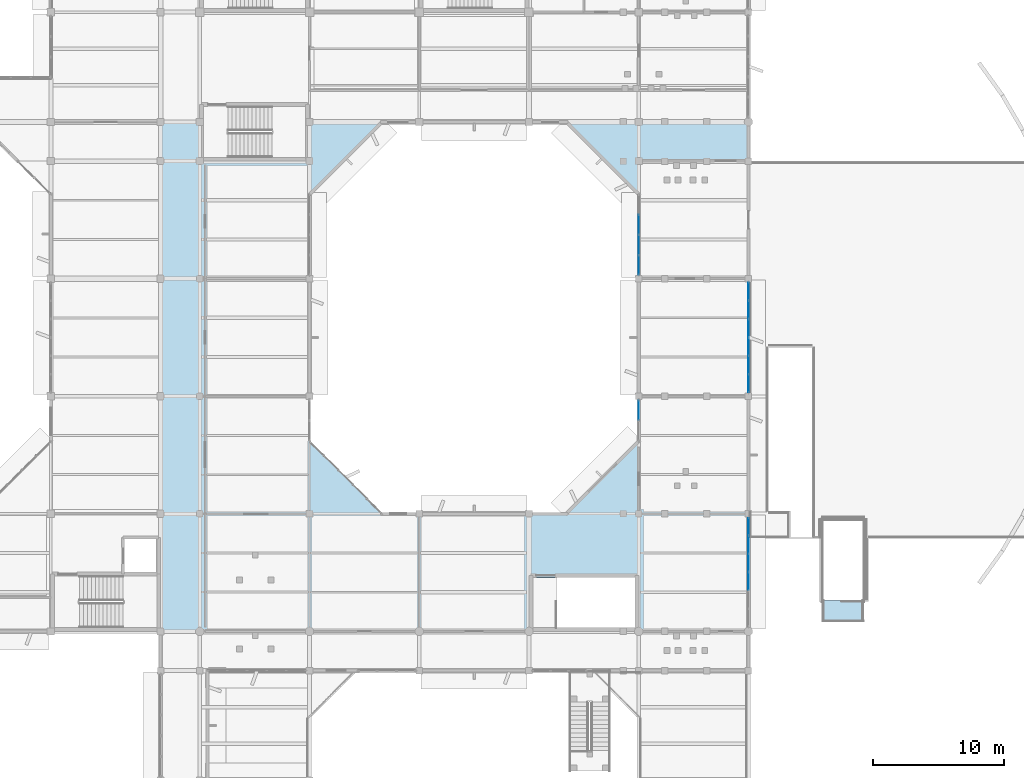
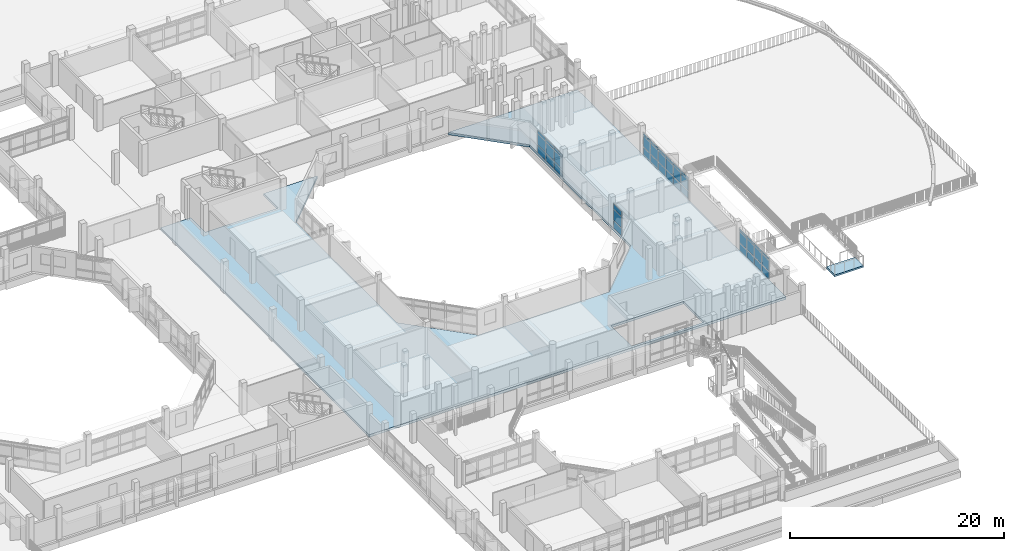
# One storey, part 51 of 92: 42 plates, 2 slabs, 4 elements without a shape of their own.
"""IFC4 building model written with IfcOpenShell, lengths in metres."""

from ifc_helpers import new_model, si_unit, direction, frame, origin, origin_2d, place, context, subcontext, project, spatial, polyline, rectangle, outline, extrude, material, layer, layer_set, type_object, element, aggregate, save


model = new_model("IFC4")

# Units and contexts
model_context = context("Model", 3, precision=1e-05, world=origin(), true_north=direction((0.0, 1.0)))
body_context = subcontext(model_context, "Body", "Model", "MODEL_VIEW")
ifc_project = project(units=[si_unit("LENGTHUNIT", "METRE"), si_unit("AREAUNIT", "SQUARE_METRE"), si_unit("VOLUMEUNIT", "CUBIC_METRE"), si_unit("PLANEANGLEUNIT", "RADIAN"), si_unit("MASSUNIT", "GRAM", prefix="KILO")], contexts=[model_context])

# Site, building, storey
site_placement = place(None, origin())
site = spatial("IfcSite", under=ifc_project, at=site_placement, CompositionType="ELEMENT")
building_placement = place(site_placement, origin())
building = spatial("IfcBuilding", under=site, at=building_placement, Name="Vanh Quang Courtyard School", CompositionType="ELEMENT")
storey_placement = place(building_placement, frame((0.0, 0.0, 7.800048828125)))
storey = spatial("IfcBuildingStorey", under=building, at=storey_placement, Name="L02", CompositionType="ELEMENT", Elevation=7.800048828125)

# Curtain wall, plates
ifc_material_1 = material(Name="Thermally broken aluminium unitised curtain wall", Category="aluminium")
curtain_wall_type_1 = type_object("IfcCurtainWallType", Name="CW-SYS-50", PredefinedType="NOTDEFINED", material=ifc_material_1)
curtain_wall_1_placement = place(storey_placement, origin())
curtain_wall_1 = element("IfcCurtainWall", 1, at=curtain_wall_1_placement, inside=storey, type_object=curtain_wall_type_1, Name="Curtain Wall CW-50 (L02)", PredefinedType="NOTDEFINED")
ifc_material_2 = material(Name="Low-E laminated double glazing", Category="glass")
ifc_layer_1 = layer(ifc_material_2, 0.028076171875)
ifc_layer_set_1 = layer_set([ifc_layer_1], Name="Low-E laminated double glazing")
plate_type_1 = type_object("IfcPlateType", Name="CW-PNL-28", PredefinedType="CURTAIN_PANEL", material=ifc_layer_set_1)
plate_1_placement = place(storey_placement, frame((119.39990234375, 58.419921875, 0.06005859375), z_axis=(0.0, 0.0, 1.0), x_axis=(0.0, -1.0, 0.0)))
plate_1 = element("IfcPlate", 2, at=plate_1_placement, type_object=plate_type_1, Name="CW-50 panel 1.1", PredefinedType="CURTAIN_PANEL", context=body_context, shape_type="SweptSolid", body=[
    extrude(rectangle(XDim=1.323974609375, YDim=0.028076171875, at=origin_2d()), origin(), (0.0, 0.0, 1.0), 0.860107421875),
])
plate_2_placement = place(storey_placement, frame((119.39990234375, 58.419921875, 0.97998046875), z_axis=(0.0, 0.0, 1.0), x_axis=(0.0, -1.0, 0.0)))
plate_2 = element("IfcPlate", 3, at=plate_2_placement, type_object=plate_type_1, Name="CW-50 panel 1.2", PredefinedType="CURTAIN_PANEL", context=body_context, shape_type="SweptSolid", body=[
    extrude(rectangle(XDim=1.323974609375, YDim=0.028076171875, at=origin_2d()), origin(), (0.0, 0.0, 1.0), 1.239990234375),
])
plate_3_placement = place(storey_placement, frame((119.39990234375, 58.419921875, 2.27978515625), z_axis=(0.0, 0.0, 1.0), x_axis=(0.0, -1.0, 0.0)))
plate_3 = element("IfcPlate", 4, at=plate_3_placement, type_object=plate_type_1, Name="CW-50 panel 1.3", PredefinedType="CURTAIN_PANEL", context=body_context, shape_type="SweptSolid", body=[
    extrude(rectangle(XDim=1.323974609375, YDim=0.028076171875, at=origin_2d()), origin(), (0.0, 0.0, 1.0), 0.239990234375),
])
plate_4_placement = place(storey_placement, frame((119.39990234375, 57.02099609375, 0.06005859375), z_axis=(0.0, 0.0, 1.0), x_axis=(0.0, -1.0, 0.0)))
plate_4 = element("IfcPlate", 5, at=plate_4_placement, type_object=plate_type_1, Name="CW-50 panel 2.1", PredefinedType="CURTAIN_PANEL", context=body_context, shape_type="SweptSolid", body=[
    extrude(rectangle(XDim=1.35400390625, YDim=0.028076171875, at=origin_2d()), origin(), (0.0, 0.0, 1.0), 0.860107421875),
])
plate_5_placement = place(storey_placement, frame((119.39990234375, 57.02099609375, 0.97998046875), z_axis=(0.0, 0.0, 1.0), x_axis=(0.0, -1.0, 0.0)))
plate_5 = element("IfcPlate", 6, at=plate_5_placement, type_object=plate_type_1, Name="CW-50 panel 2.2", PredefinedType="CURTAIN_PANEL", context=body_context, shape_type="SweptSolid", body=[
    extrude(rectangle(XDim=1.35400390625, YDim=0.028076171875, at=origin_2d()), origin(), (0.0, 0.0, 1.0), 1.239990234375),
])
plate_6_placement = place(storey_placement, frame((119.39990234375, 57.02099609375, 2.27978515625), z_axis=(0.0, 0.0, 1.0), x_axis=(0.0, -1.0, 0.0)))
plate_6 = element("IfcPlate", 7, at=plate_6_placement, type_object=plate_type_1, Name="CW-50 panel 2.3", PredefinedType="CURTAIN_PANEL", context=body_context, shape_type="SweptSolid", body=[
    extrude(rectangle(XDim=1.35400390625, YDim=0.028076171875, at=origin_2d()), origin(), (0.0, 0.0, 1.0), 0.239990234375),
])
plate_7_placement = place(storey_placement, frame((119.39990234375, 55.60693359375, 0.06005859375), z_axis=(0.0, 0.0, 1.0), x_axis=(0.0, -1.0, 0.0)))
plate_7 = element("IfcPlate", 8, at=plate_7_placement, type_object=plate_type_1, Name="CW-50 panel 3.1", PredefinedType="CURTAIN_PANEL", context=body_context, shape_type="SweptSolid", body=[
    extrude(rectangle(XDim=1.35400390625, YDim=0.028076171875, at=origin_2d()), origin(), (0.0, 0.0, 1.0), 0.860107421875),
])
plate_8_placement = place(storey_placement, frame((119.39990234375, 55.60693359375, 0.97998046875), z_axis=(0.0, 0.0, 1.0), x_axis=(0.0, -1.0, 0.0)))
plate_8 = element("IfcPlate", 9, at=plate_8_placement, type_object=plate_type_1, Name="CW-50 panel 3.2", PredefinedType="CURTAIN_PANEL", context=body_context, shape_type="SweptSolid", body=[
    extrude(rectangle(XDim=1.35400390625, YDim=0.028076171875, at=origin_2d()), origin(), (0.0, 0.0, 1.0), 1.239990234375),
])
plate_9_placement = place(storey_placement, frame((119.39990234375, 55.60693359375, 2.27978515625), z_axis=(0.0, 0.0, 1.0), x_axis=(0.0, -1.0, 0.0)))
plate_9 = element("IfcPlate", 10, at=plate_9_placement, type_object=plate_type_1, Name="CW-50 panel 3.3", PredefinedType="CURTAIN_PANEL", context=body_context, shape_type="SweptSolid", body=[
    extrude(rectangle(XDim=1.35400390625, YDim=0.028076171875, at=origin_2d()), origin(), (0.0, 0.0, 1.0), 0.239990234375),
])
plate_10_placement = place(storey_placement, frame((119.39990234375, 54.193115234375, 0.06005859375), z_axis=(0.0, 0.0, 1.0), x_axis=(0.0, -1.0, 0.0)))
plate_10 = element("IfcPlate", 11, at=plate_10_placement, type_object=plate_type_1, Name="CW-50 panel 4.1", PredefinedType="CURTAIN_PANEL", context=body_context, shape_type="SweptSolid", body=[
    extrude(rectangle(XDim=1.35400390625, YDim=0.028076171875, at=origin_2d()), origin(), (0.0, 0.0, 1.0), 0.860107421875),
])
plate_11_placement = place(storey_placement, frame((119.39990234375, 54.193115234375, 0.97998046875), z_axis=(0.0, 0.0, 1.0), x_axis=(0.0, -1.0, 0.0)))
plate_11 = element("IfcPlate", 12, at=plate_11_placement, type_object=plate_type_1, Name="CW-50 panel 4.2", PredefinedType="CURTAIN_PANEL", context=body_context, shape_type="SweptSolid", body=[
    extrude(rectangle(XDim=1.35400390625, YDim=0.028076171875, at=origin_2d()), origin(), (0.0, 0.0, 1.0), 1.239990234375),
])
plate_12_placement = place(storey_placement, frame((119.39990234375, 54.193115234375, 2.27978515625), z_axis=(0.0, 0.0, 1.0), x_axis=(0.0, -1.0, 0.0)))
plate_12 = element("IfcPlate", 13, at=plate_12_placement, type_object=plate_type_1, Name="CW-50 panel 4.3", PredefinedType="CURTAIN_PANEL", context=body_context, shape_type="SweptSolid", body=[
    extrude(rectangle(XDim=1.35400390625, YDim=0.028076171875, at=origin_2d()), origin(), (0.0, 0.0, 1.0), 0.239990234375),
])
plate_13_placement = place(storey_placement, frame((119.39990234375, 52.779052734375, 0.06005859375), z_axis=(0.0, 0.0, 1.0), x_axis=(0.0, -1.0, 0.0)))
plate_13 = element("IfcPlate", 14, at=plate_13_placement, type_object=plate_type_1, Name="CW-50 panel 5.1", PredefinedType="CURTAIN_PANEL", context=body_context, shape_type="SweptSolid", body=[
    extrude(rectangle(XDim=1.35400390625, YDim=0.028076171875, at=origin_2d()), origin(), (0.0, 0.0, 1.0), 0.860107421875),
])
plate_14_placement = place(storey_placement, frame((119.39990234375, 52.779052734375, 0.97998046875), z_axis=(0.0, 0.0, 1.0), x_axis=(0.0, -1.0, 0.0)))
plate_14 = element("IfcPlate", 15, at=plate_14_placement, type_object=plate_type_1, Name="CW-50 panel 5.2", PredefinedType="CURTAIN_PANEL", context=body_context, shape_type="SweptSolid", body=[
    extrude(rectangle(XDim=1.35400390625, YDim=0.028076171875, at=origin_2d()), origin(), (0.0, 0.0, 1.0), 1.239990234375),
])
plate_15_placement = place(storey_placement, frame((119.39990234375, 52.779052734375, 2.27978515625), z_axis=(0.0, 0.0, 1.0), x_axis=(0.0, -1.0, 0.0)))
plate_15 = element("IfcPlate", 16, at=plate_15_placement, type_object=plate_type_1, Name="CW-50 panel 5.3", PredefinedType="CURTAIN_PANEL", context=body_context, shape_type="SweptSolid", body=[
    extrude(rectangle(XDim=1.35400390625, YDim=0.028076171875, at=origin_2d()), origin(), (0.0, 0.0, 1.0), 0.239990234375),
])
plate_16_placement = place(storey_placement, frame((119.39990234375, 51.3798828125, 0.06005859375), z_axis=(0.0, 0.0, 1.0), x_axis=(0.0, -1.0, 0.0)))
plate_16 = element("IfcPlate", 17, at=plate_16_placement, type_object=plate_type_1, Name="CW-50 panel 6.1", PredefinedType="CURTAIN_PANEL", context=body_context, shape_type="SweptSolid", body=[
    extrude(rectangle(XDim=1.323974609375, YDim=0.028076171875, at=origin_2d()), origin(), (0.0, 0.0, 1.0), 0.860107421875),
])
plate_17_placement = place(storey_placement, frame((119.39990234375, 51.3798828125, 0.97998046875), z_axis=(0.0, 0.0, 1.0), x_axis=(0.0, -1.0, 0.0)))
plate_17 = element("IfcPlate", 18, at=plate_17_placement, type_object=plate_type_1, Name="CW-50 panel 6.2", PredefinedType="CURTAIN_PANEL", context=body_context, shape_type="SweptSolid", body=[
    extrude(rectangle(XDim=1.323974609375, YDim=0.028076171875, at=origin_2d()), origin(), (0.0, 0.0, 1.0), 1.239990234375),
])
plate_18_placement = place(storey_placement, frame((119.39990234375, 51.3798828125, 2.27978515625), z_axis=(0.0, 0.0, 1.0), x_axis=(0.0, -1.0, 0.0)))
plate_18 = element("IfcPlate", 19, at=plate_18_placement, type_object=plate_type_1, Name="CW-50 panel 6.3", PredefinedType="CURTAIN_PANEL", context=body_context, shape_type="SweptSolid", body=[
    extrude(rectangle(XDim=1.323974609375, YDim=0.028076171875, at=origin_2d()), origin(), (0.0, 0.0, 1.0), 0.239990234375),
])
aggregate(curtain_wall_1, [plate_1, plate_2, plate_3, plate_4, plate_5, plate_6, plate_7, plate_8, plate_9, plate_10, plate_11, plate_12, plate_13, plate_14, plate_15, plate_16, plate_17, plate_18])

curtain_wall_type_2 = type_object("IfcCurtainWallType", Name="CW-SYS-44", PredefinedType="NOTDEFINED", material=ifc_material_1)
curtain_wall_2_placement = place(storey_placement, origin())
curtain_wall_2 = element("IfcCurtainWall", 20, at=curtain_wall_2_placement, inside=storey, type_object=curtain_wall_type_2, Name="Curtain Wall CW-44 (L02)", PredefinedType="NOTDEFINED")
plate_19_placement = place(storey_placement, frame((111.0, 60.44775390625, 0.06005859375), z_axis=(0.0, 0.0, 1.0), x_axis=(0.0, 1.0, 0.0)))
plate_19 = element("IfcPlate", 21, at=plate_19_placement, type_object=plate_type_1, Name="CW-44 panel 1.1", PredefinedType="CURTAIN_PANEL", context=body_context, shape_type="SweptSolid", body=[
    extrude(rectangle(XDim=1.45947265625, YDim=0.028076171875, at=origin_2d()), origin(), (0.0, 0.0, 1.0), 0.860107421875),
])
plate_20_placement = place(storey_placement, frame((111.0, 60.44775390625, 0.97998046875), z_axis=(0.0, 0.0, 1.0), x_axis=(0.0, 1.0, 0.0)))
plate_20 = element("IfcPlate", 22, at=plate_20_placement, type_object=plate_type_1, Name="CW-44 panel 1.2", PredefinedType="CURTAIN_PANEL", context=body_context, shape_type="SweptSolid", body=[
    extrude(rectangle(XDim=1.45947265625, YDim=0.028076171875, at=origin_2d()), origin(), (0.0, 0.0, 1.0), 1.239990234375),
])
plate_21_placement = place(storey_placement, frame((111.0, 60.44775390625, 2.27978515625), z_axis=(0.0, 0.0, 1.0), x_axis=(0.0, 1.0, 0.0)))
plate_21 = element("IfcPlate", 23, at=plate_21_placement, type_object=plate_type_1, Name="CW-44 panel 1.3", PredefinedType="CURTAIN_PANEL", context=body_context, shape_type="SweptSolid", body=[
    extrude(rectangle(XDim=1.45947265625, YDim=0.028076171875, at=origin_2d()), origin(), (0.0, 0.0, 1.0), 0.300048828125),
])
plate_22_placement = place(storey_placement, frame((111.0, 61.982177734375, 0.06005859375), z_axis=(0.0, 0.0, 1.0), x_axis=(0.0, 1.0, 0.0)))
plate_22 = element("IfcPlate", 24, at=plate_22_placement, type_object=plate_type_1, Name="CW-44 panel 2.1", PredefinedType="CURTAIN_PANEL", context=body_context, shape_type="SweptSolid", body=[
    extrude(rectangle(XDim=1.489501953125, YDim=0.028076171875, at=origin_2d()), origin(), (0.0, 0.0, 1.0), 0.860107421875),
])
plate_23_placement = place(storey_placement, frame((111.0, 61.982177734375, 0.97998046875), z_axis=(0.0, 0.0, 1.0), x_axis=(0.0, 1.0, 0.0)))
plate_23 = element("IfcPlate", 25, at=plate_23_placement, type_object=plate_type_1, Name="CW-44 panel 2.2", PredefinedType="CURTAIN_PANEL", context=body_context, shape_type="SweptSolid", body=[
    extrude(rectangle(XDim=1.489501953125, YDim=0.028076171875, at=origin_2d()), origin(), (0.0, 0.0, 1.0), 1.239990234375),
])
plate_24_placement = place(storey_placement, frame((111.0, 61.982177734375, 2.27978515625), z_axis=(0.0, 0.0, 1.0), x_axis=(0.0, 1.0, 0.0)))
plate_24 = element("IfcPlate", 26, at=plate_24_placement, type_object=plate_type_1, Name="CW-44 panel 2.3", PredefinedType="CURTAIN_PANEL", context=body_context, shape_type="SweptSolid", body=[
    extrude(rectangle(XDim=1.489501953125, YDim=0.028076171875, at=origin_2d()), origin(), (0.0, 0.0, 1.0), 0.300048828125),
])
plate_25_placement = place(storey_placement, frame((111.0, 63.53173828125, 0.06005859375), z_axis=(0.0, 0.0, 1.0), x_axis=(0.0, 1.0, 0.0)))
plate_25 = element("IfcPlate", 27, at=plate_25_placement, type_object=plate_type_1, Name="CW-44 panel 3.1", PredefinedType="CURTAIN_PANEL", context=body_context, shape_type="SweptSolid", body=[
    extrude(rectangle(XDim=1.489501953125, YDim=0.028076171875, at=origin_2d()), origin(), (0.0, 0.0, 1.0), 0.860107421875),
])
plate_26_placement = place(storey_placement, frame((111.0, 63.53173828125, 0.97998046875), z_axis=(0.0, 0.0, 1.0), x_axis=(0.0, 1.0, 0.0)))
plate_26 = element("IfcPlate", 28, at=plate_26_placement, type_object=plate_type_1, Name="CW-44 panel 3.2", PredefinedType="CURTAIN_PANEL", context=body_context, shape_type="SweptSolid", body=[
    extrude(rectangle(XDim=1.489501953125, YDim=0.028076171875, at=origin_2d()), origin(), (0.0, 0.0, 1.0), 1.239990234375),
])
plate_27_placement = place(storey_placement, frame((111.0, 63.53173828125, 2.27978515625), z_axis=(0.0, 0.0, 1.0), x_axis=(0.0, 1.0, 0.0)))
plate_27 = element("IfcPlate", 29, at=plate_27_placement, type_object=plate_type_1, Name="CW-44 panel 3.3", PredefinedType="CURTAIN_PANEL", context=body_context, shape_type="SweptSolid", body=[
    extrude(rectangle(XDim=1.489501953125, YDim=0.028076171875, at=origin_2d()), origin(), (0.0, 0.0, 1.0), 0.300048828125),
])
aggregate(curtain_wall_2, [plate_19, plate_20, plate_21, plate_22, plate_23, plate_24, plate_25, plate_26, plate_27])

curtain_wall_type_3 = type_object("IfcCurtainWallType", Name="CW-SYS-48", PredefinedType="NOTDEFINED", material=ifc_material_1)
curtain_wall_3_placement = place(storey_placement, origin())
curtain_wall_3 = element("IfcCurtainWall", 30, at=curtain_wall_3_placement, inside=storey, type_object=curtain_wall_type_3, Name="Curtain Wall CW-48 (L02)", PredefinedType="NOTDEFINED")
ifc_layer_2 = layer(ifc_material_2, 0.031982421875)
ifc_layer_set_2 = layer_set([ifc_layer_2], Name="Low-E laminated double glazing")
plate_type_2 = type_object("IfcPlateType", Name="CW-PNL-32", PredefinedType="CURTAIN_PANEL", material=ifc_layer_set_2)
plate_28_placement = place(storey_placement, frame((119.39990234375, 40.423828125, 0.06982421875), z_axis=(0.0, 0.0, 1.0), x_axis=(0.0, -1.0, 0.0)))
plate_28 = element("IfcPlate", 31, at=plate_28_placement, type_object=plate_type_2, Name="CW-48 panel 1.1", PredefinedType="CURTAIN_PANEL", context=body_context, shape_type="SweptSolid", body=[
    extrude(rectangle(XDim=1.29638671875, YDim=0.031982421875, at=origin_2d()), origin(), (0.0, 0.0, 1.0), 0.844970703125),
])
plate_29_placement = place(storey_placement, frame((119.39990234375, 40.423828125, 0.98486328125), z_axis=(0.0, 0.0, 1.0), x_axis=(0.0, -1.0, 0.0)))
plate_29 = element("IfcPlate", 32, at=plate_29_placement, type_object=plate_type_2, Name="CW-48 panel 1.2", PredefinedType="CURTAIN_PANEL", context=body_context, shape_type="SweptSolid", body=[
    extrude(rectangle(XDim=1.29638671875, YDim=0.031982421875, at=origin_2d()), origin(), (0.0, 0.0, 1.0), 1.22998046875),
])
plate_30_placement = place(storey_placement, frame((119.39990234375, 40.423828125, 2.284912109375), z_axis=(0.0, 0.0, 1.0), x_axis=(0.0, -1.0, 0.0)))
plate_30 = element("IfcPlate", 33, at=plate_30_placement, type_object=plate_type_2, Name="CW-48 panel 1.3", PredefinedType="CURTAIN_PANEL", context=body_context, shape_type="SweptSolid", body=[
    extrude(rectangle(XDim=1.29638671875, YDim=0.031982421875, at=origin_2d()), origin(), (0.0, 0.0, 1.0), 0.22509765625),
])
plate_31_placement = place(storey_placement, frame((119.39990234375, 39.039794921875, 0.06982421875), z_axis=(0.0, 0.0, 1.0), x_axis=(0.0, -1.0, 0.0)))
plate_31 = element("IfcPlate", 34, at=plate_31_placement, type_object=plate_type_2, Name="CW-48 panel 2.1", PredefinedType="CURTAIN_PANEL", context=body_context, shape_type="SweptSolid", body=[
    extrude(rectangle(XDim=1.33154296875, YDim=0.031982421875, at=origin_2d()), origin(), (0.0, 0.0, 1.0), 0.844970703125),
])
plate_32_placement = place(storey_placement, frame((119.39990234375, 39.039794921875, 0.98486328125), z_axis=(0.0, 0.0, 1.0), x_axis=(0.0, -1.0, 0.0)))
plate_32 = element("IfcPlate", 35, at=plate_32_placement, type_object=plate_type_2, Name="CW-48 panel 2.2", PredefinedType="CURTAIN_PANEL", context=body_context, shape_type="SweptSolid", body=[
    extrude(rectangle(XDim=1.33154296875, YDim=0.031982421875, at=origin_2d()), origin(), (0.0, 0.0, 1.0), 1.22998046875),
])
plate_33_placement = place(storey_placement, frame((119.39990234375, 39.039794921875, 2.284912109375), z_axis=(0.0, 0.0, 1.0), x_axis=(0.0, -1.0, 0.0)))
plate_33 = element("IfcPlate", 36, at=plate_33_placement, type_object=plate_type_2, Name="CW-48 panel 2.3", PredefinedType="CURTAIN_PANEL", context=body_context, shape_type="SweptSolid", body=[
    extrude(rectangle(XDim=1.33154296875, YDim=0.031982421875, at=origin_2d()), origin(), (0.0, 0.0, 1.0), 0.22509765625),
])
plate_34_placement = place(storey_placement, frame((119.39990234375, 37.63818359375, 0.06982421875), z_axis=(0.0, 0.0, 1.0), x_axis=(0.0, -1.0, 0.0)))
plate_34 = element("IfcPlate", 37, at=plate_34_placement, type_object=plate_type_2, Name="CW-48 panel 3.1", PredefinedType="CURTAIN_PANEL", context=body_context, shape_type="SweptSolid", body=[
    extrude(rectangle(XDim=1.33154296875, YDim=0.031982421875, at=origin_2d()), origin(), (0.0, 0.0, 1.0), 0.844970703125),
])
plate_35_placement = place(storey_placement, frame((119.39990234375, 37.63818359375, 0.98486328125), z_axis=(0.0, 0.0, 1.0), x_axis=(0.0, -1.0, 0.0)))
plate_35 = element("IfcPlate", 38, at=plate_35_placement, type_object=plate_type_2, Name="CW-48 panel 3.2", PredefinedType="CURTAIN_PANEL", context=body_context, shape_type="SweptSolid", body=[
    extrude(rectangle(XDim=1.33154296875, YDim=0.031982421875, at=origin_2d()), origin(), (0.0, 0.0, 1.0), 1.22998046875),
])
plate_36_placement = place(storey_placement, frame((119.39990234375, 37.63818359375, 2.284912109375), z_axis=(0.0, 0.0, 1.0), x_axis=(0.0, -1.0, 0.0)))
plate_36 = element("IfcPlate", 39, at=plate_36_placement, type_object=plate_type_2, Name="CW-48 panel 3.3", PredefinedType="CURTAIN_PANEL", context=body_context, shape_type="SweptSolid", body=[
    extrude(rectangle(XDim=1.33154296875, YDim=0.031982421875, at=origin_2d()), origin(), (0.0, 0.0, 1.0), 0.22509765625),
])
plate_37_placement = place(storey_placement, frame((119.39990234375, 36.23681640625, 0.06982421875), z_axis=(0.0, 0.0, 1.0), x_axis=(0.0, -1.0, 0.0)))
plate_37 = element("IfcPlate", 40, at=plate_37_placement, type_object=plate_type_2, Name="CW-48 panel 4.1", PredefinedType="CURTAIN_PANEL", context=body_context, shape_type="SweptSolid", body=[
    extrude(rectangle(XDim=1.33154296875, YDim=0.031982421875, at=origin_2d()), origin(), (0.0, 0.0, 1.0), 0.844970703125),
])
plate_38_placement = place(storey_placement, frame((119.39990234375, 36.23681640625, 0.98486328125), z_axis=(0.0, 0.0, 1.0), x_axis=(0.0, -1.0, 0.0)))
plate_38 = element("IfcPlate", 41, at=plate_38_placement, type_object=plate_type_2, Name="CW-48 panel 4.2", PredefinedType="CURTAIN_PANEL", context=body_context, shape_type="SweptSolid", body=[
    extrude(rectangle(XDim=1.33154296875, YDim=0.031982421875, at=origin_2d()), origin(), (0.0, 0.0, 1.0), 1.22998046875),
])
plate_39_placement = place(storey_placement, frame((119.39990234375, 36.23681640625, 2.284912109375), z_axis=(0.0, 0.0, 1.0), x_axis=(0.0, -1.0, 0.0)))
plate_39 = element("IfcPlate", 42, at=plate_39_placement, type_object=plate_type_2, Name="CW-48 panel 4.3", PredefinedType="CURTAIN_PANEL", context=body_context, shape_type="SweptSolid", body=[
    extrude(rectangle(XDim=1.33154296875, YDim=0.031982421875, at=origin_2d()), origin(), (0.0, 0.0, 1.0), 0.22509765625),
])
aggregate(curtain_wall_3, [plate_28, plate_29, plate_30, plate_31, plate_32, plate_33, plate_34, plate_35, plate_36, plate_37, plate_38, plate_39])

curtain_wall_type_4 = type_object("IfcCurtainWallType", Name="CW-SYS-45", PredefinedType="NOTDEFINED", material=ifc_material_1)
curtain_wall_4_placement = place(storey_placement, origin())
curtain_wall_4 = element("IfcCurtainWall", 43, at=curtain_wall_4_placement, inside=storey, type_object=curtain_wall_type_4, Name="Curtain Wall CW-45 (L02)", PredefinedType="NOTDEFINED")
plate_40_placement = place(storey_placement, frame((111.0, 49.322509765625, 0.079833984375), z_axis=(0.0, 0.0, 1.0), x_axis=(0.0, 1.0, 0.0)))
plate_40 = element("IfcPlate", 44, at=plate_40_placement, type_object=plate_type_2, Name="CW-45 panel 2.1", PredefinedType="CURTAIN_PANEL", context=body_context, shape_type="SweptSolid", body=[
    extrude(rectangle(XDim=1.47900390625, YDim=0.031982421875, at=origin_2d()), origin(), (0.0, 0.0, 1.0), 0.830078125),
])
plate_41_placement = place(storey_placement, frame((111.0, 49.322509765625, 0.98974609375), z_axis=(0.0, 0.0, 1.0), x_axis=(0.0, 1.0, 0.0)))
plate_41 = element("IfcPlate", 45, at=plate_41_placement, type_object=plate_type_2, Name="CW-45 panel 2.2", PredefinedType="CURTAIN_PANEL", context=body_context, shape_type="SweptSolid", body=[
    extrude(rectangle(XDim=1.47900390625, YDim=0.031982421875, at=origin_2d()), origin(), (0.0, 0.0, 1.0), 1.219970703125),
])
plate_42_placement = place(storey_placement, frame((111.0, 49.322509765625, 2.2900390625), z_axis=(0.0, 0.0, 1.0), x_axis=(0.0, 1.0, 0.0)))
plate_42 = element("IfcPlate", 46, at=plate_42_placement, type_object=plate_type_2, Name="CW-45 panel 2.3", PredefinedType="CURTAIN_PANEL", context=body_context, shape_type="SweptSolid", body=[
    extrude(rectangle(XDim=1.47900390625, YDim=0.031982421875, at=origin_2d()), origin(), (0.0, 0.0, 1.0), 0.570068359375),
])
aggregate(curtain_wall_4, [plate_40, plate_41, plate_42])

# Slabs
ifc_material_3 = material(Name="Concrete C30/37", Category="concrete")
ifc_layer_3 = layer(ifc_material_3, 0.280029296875)
ifc_layer_set_3 = layer_set([ifc_layer_3], Name="Concrete C30/37")
slab_type_1 = type_object("IfcSlabType", Name="SLB-FLR-280", PredefinedType="FLOOR", material=ifc_layer_set_3)
slab_1_placement = place(storey_placement, frame((0.0, 0.0, -0.280029296875)))
element("IfcSlab", 47, at=slab_1_placement, inside=storey, type_object=slab_type_1, Name="Slab SF-02 (L02)", PredefinedType="FLOOR", context=body_context, shape_type="SweptSolid", body=[
    extrude(outline(polyline([(119.39990234375, 32.39990234375), (119.39990234375, 71.39990234375), (105.4560546875, 71.39990234375), (111.0, 65.85595703125), (111.0, 46.944091796875), (105.4560546875, 41.39990234375), (91.343994140625, 41.39990234375), (85.800048828125, 46.944091796875), (85.800048828125, 65.85595703125), (91.343994140625, 71.39990234375), (85.52001953125, 71.39990234375), (85.52001953125, 68.679931640625), (77.679931640625, 68.679931640625), (77.679931640625, 71.39990234375), (74.39990234375, 71.39990234375), (74.39990234375, 32.39990234375), (119.39990234375, 32.39990234375)]), holes=[polyline([(110.719970703125, 32.679931640625), (102.8798828125, 32.679931640625), (102.8798828125, 36.5400390625), (110.719970703125, 36.5400390625), (110.719970703125, 32.679931640625)])]), origin(), (0.0, 0.0, 1.0), 0.280029296875),
])
ifc_layer_4 = layer(ifc_material_3, 0.199951171875)
ifc_layer_set_4 = layer_set([ifc_layer_4], Name="Concrete C30/37")
slab_type_2 = type_object("IfcSlabType", Name="SLB-TLND-200", PredefinedType="LANDING", material=ifc_layer_set_4)
slab_2_placement = place(storey_placement, frame((0.0, 0.0, -0.199951171875)))
element("IfcSlab", 48, at=slab_2_placement, inside=storey, type_object=slab_type_2, Name="Slab SL-02 (L02)", PredefinedType="LANDING", context=body_context, shape_type="SweptSolid", body=[
    extrude(outline(polyline([(125.10009765625, 33.199951171875), (128.199951171875, 33.199951171875), (128.199951171875, 34.780029296875), (125.10009765625, 34.780029296875), (125.10009765625, 33.199951171875)])), origin(), (0.0, 0.0, 1.0), 0.199951171875),
])

save(model, "model.ifc")
